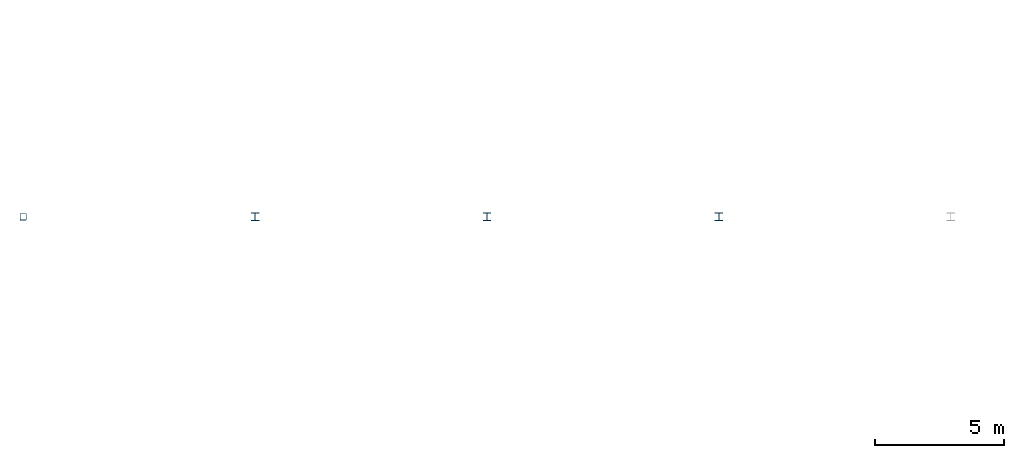
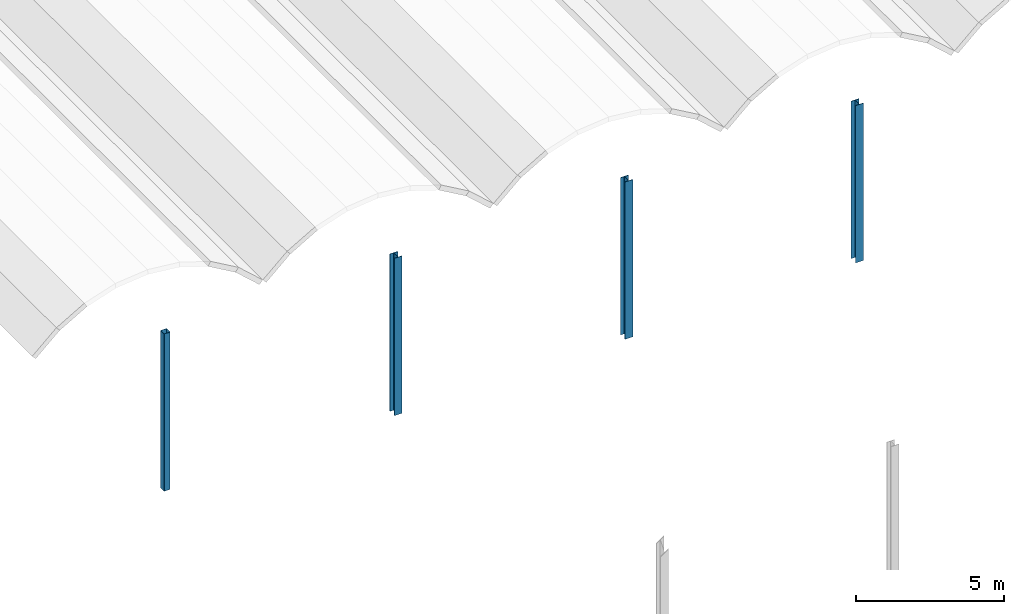
# One storey, part 2 of 5: 4 columns.
"""IFC4 building model written with IfcOpenShell, lengths in metres."""

import ifcopenshell
import ifcopenshell.guid

model = None  # the IFC model being written
_history = None  # IfcOwnerHistory: only IFC2X3 demands one
_inside = {}  # id of a spatial element -> (the spatial element, [elements in it])
_under = {}  # id of a project, library or spatial element -> (it, [spatial elements below it])
_declared = {}  # id of a project -> (the project, [libraries it declares])
_typed = {}  # id of a type object -> (the type object, [elements of that type])
_made_of = {}  # id of a material, layer set ... -> (it, [elements and type objects made of it])


def new_model(schema):
    """Start an empty IFC model of exactly this schema.

    Asked for "IFC4X3", IfcOpenShell would pick the latest addendum, in which some entities
    have other attributes; the version numbers below select the first issue.
    IFC2X3 requires an IfcOwnerHistory on every rooted entity: one is made here for all.
    """
    global model, _history
    if schema == "IFC4X3":
        model = ifcopenshell.file(schema_version=(4, 3, 0, 0))
    else:
        model = ifcopenshell.file(schema=schema)
    _inside.clear()
    _under.clear()
    _declared.clear()
    _typed.clear()
    _made_of.clear()
    _history = None
    if model.schema == "IFC2X3":
        org = make("IfcOrganization", Name="unknown")
        user = make(
            "IfcPersonAndOrganization",
            ThePerson=make("IfcPerson", FamilyName="unknown"),
            TheOrganization=org,
        )
        app = make(
            "IfcApplication",
            ApplicationDeveloper=org,
            Version="unknown",
            ApplicationFullName="unknown",
            ApplicationIdentifier="unknown",
        )
        _history = make(
            "IfcOwnerHistory",
            OwningUser=user,
            OwningApplication=app,
            ChangeAction="ADDED",
            CreationDate=0,
        )
    return model


def make(cls, **values):
    """One entity of the class cls with the attributes given. An attribute that is None is left unset."""
    return model.create_entity(
        cls, **{name: value for name, value in values.items() if value is not None}
    )


def rooted(cls, **values):
    """An entity with a GlobalId (a new one), such as an element, a storey or a relation."""
    return make(cls, GlobalId=ifcopenshell.guid.new(), OwnerHistory=_history, **values)


def si_unit(unit_type, name, prefix=None):
    """IfcSIUnit, for example si_unit("LENGTHUNIT", "METRE", prefix="MILLI")."""
    return make("IfcSIUnit", UnitType=unit_type, Prefix=prefix, Name=name)


def assignment(units):
    """IfcUnitAssignment: the units of a project."""
    return None if units is None else make("IfcUnitAssignment", Units=units)


def point(xyz):
    """IfcCartesianPoint."""
    return None if xyz is None else make("IfcCartesianPoint", Coordinates=xyz)


def direction(xyz):
    """IfcDirection."""
    return None if xyz is None else make("IfcDirection", DirectionRatios=xyz)


def frame(location, z_axis=None, x_axis=None):
    """IfcAxis2Placement3D, a coordinate frame: its origin and axes. An axis left out is left unset."""
    return make(
        "IfcAxis2Placement3D",
        Location=point(location),
        Axis=direction(z_axis),
        RefDirection=direction(x_axis),
    )


def frame_2d(location, x_axis=None):
    """IfcAxis2Placement2D, a coordinate frame in the plane: its origin and x axis."""
    return make(
        "IfcAxis2Placement2D", Location=point(location), RefDirection=direction(x_axis)
    )


def origin():
    """The frame at (0, 0, 0) with its axes left unset."""
    return frame((0.0, 0.0, 0.0))


def origin_2d():
    """The frame at (0, 0) in the plane with its x axis left unset."""
    return frame_2d((0.0, 0.0))


def place(relative_to, where):
    """IfcLocalPlacement: puts the frame where relative to a parent placement (None: the world)."""
    return make(
        "IfcLocalPlacement", PlacementRelTo=relative_to, RelativePlacement=where
    )


def context(
    kind, dimensions, precision=None, world=None, true_north=None, identifier=None
):
    """IfcGeometricRepresentationContext, for example the 3D "Model" context."""
    return make(
        "IfcGeometricRepresentationContext",
        ContextIdentifier=identifier,
        ContextType=kind,
        CoordinateSpaceDimension=dimensions,
        Precision=precision,
        WorldCoordinateSystem=world,
        TrueNorth=true_north,
    )


def subcontext(parent, identifier, kind, view, scale=None):
    """IfcGeometricRepresentationSubContext, for example "Body" below "Model"."""
    return make(
        "IfcGeometricRepresentationSubContext",
        ContextIdentifier=identifier,
        ContextType=kind,
        ParentContext=parent,
        TargetScale=scale,
        TargetView=view,
    )


def project(units=None, contexts=None):
    """IfcProject with its units and contexts."""
    return rooted(
        "IfcProject",
        Name="project",
        RepresentationContexts=contexts,
        UnitsInContext=assignment(units),
    )


def spatial(cls, under=None, at=None, **own):
    """A site, building, storey or space (cls), placed at a placement, below another one or the project."""
    s = rooted(cls, ObjectPlacement=at, **own)
    if under is not None:
        _under.setdefault(under.id(), (under, []))[1].append(s)
    return s


def profile(cls, at=None, kind="AREA", **sizes):
    """A parametric profile (cls). Its sizes go by their IFC names, for example OverallWidth=200.0."""
    return make(cls, ProfileType=kind, Position=at, **sizes)


def hollow_rectangle(**sizes):
    """IfcRectangleHollowProfileDef."""
    return profile("IfcRectangleHollowProfileDef", **sizes)


def i_section(**sizes):
    """IfcIShapeProfileDef."""
    return profile("IfcIShapeProfileDef", **sizes)


def extrude(swept, where, along, depth):
    """IfcExtrudedAreaSolid: the profile swept, set in the frame where, extruded along a direction by depth."""
    return make(
        "IfcExtrudedAreaSolid",
        SweptArea=swept,
        Position=where,
        ExtrudedDirection=direction(along),
        Depth=depth,
    )


def shape(context_of_items, identifier, shape_type, items):
    """IfcShapeRepresentation: the items that make up one representation, for example the "Body"."""
    return make(
        "IfcShapeRepresentation",
        ContextOfItems=context_of_items,
        RepresentationIdentifier=identifier,
        RepresentationType=shape_type,
        Items=items,
    )


def material(Name=None, Category=None):
    """IfcMaterial."""
    return make("IfcMaterial", Name=Name, Category=Category)


def material_profile(
    of_material, cross_section, Name=None, Category=None, Priority=None
):
    """IfcMaterialProfile: a cross section and its material."""
    return make(
        "IfcMaterialProfile",
        Name=Name,
        Material=of_material,
        Profile=cross_section,
        Priority=Priority,
        Category=Category,
    )


def profile_set(profiles, Name=None, composite=None):
    """IfcMaterialProfileSet."""
    return make(
        "IfcMaterialProfileSet",
        Name=Name,
        MaterialProfiles=profiles,
        CompositeProfile=composite,
    )


def made_of(thing, what):
    """Note that an element or type object is made of a material, layer set ...; save() writes the relation."""
    if what is not None:
        _made_of.setdefault(what.id(), (what, []))[1].append(thing)
    return thing


def type_object(cls, material=None, **own):
    """A type object (cls), such as IfcWallType, which elements share."""
    return made_of(rooted(cls, **own), material)


def element(
    cls,
    number,
    at=None,
    inside=None,
    cuts=None,
    type_object=None,
    material=None,
    context=None,
    identifier="Body",
    shape_type=None,
    held_by="IfcProductDefinitionShape",
    body=None,
    shapes=None,
    **own,
):
    """One element of the class cls, such as IfcWall. Its Tag is "e" and its number.

    at: its placement. inside: the storey or other place that contains it. cuts: it is an
    opening in that element (IfcRelVoidsElement). A single representation is given by context,
    identifier, shape_type and body (its items); several are given by shapes. held_by: the class
    of the entity that holds the representations. save() writes the other relations.
    """
    e = rooted(cls, Tag="e%d" % number, ObjectPlacement=at, **own)
    if body is not None:
        shapes = [shape(context, identifier, shape_type, body)]
    if shapes is not None:
        e.Representation = make(held_by, Representations=shapes)
    if inside is not None:
        _inside.setdefault(inside.id(), (inside, []))[1].append(e)
    if cuts is not None:
        rooted(
            "IfcRelVoidsElement", RelatingBuildingElement=cuts, RelatedOpeningElement=e
        )
    if type_object is not None:
        _typed.setdefault(type_object.id(), (type_object, []))[1].append(e)
    return made_of(e, material)


def aggregate(whole, parts):
    """IfcRelAggregates: a whole, such as a stair, and the parts it consists of."""
    return rooted("IfcRelAggregates", RelatingObject=whole, RelatedObjects=parts)


def save(model, path):
    """Write the relations noted so far, then the file.

    IfcRelAggregates (storeys below a building ...), IfcRelContainedInSpatialStructure (elements
    in a storey), IfcRelDefinesByType, IfcRelAssociatesMaterial and IfcRelDeclares: one each for
    every whole, place, type object, material and project.
    """
    for whole, parts in _under.values():
        aggregate(whole, parts)
    for where, things in _inside.values():
        rooted(
            "IfcRelContainedInSpatialStructure",
            RelatedElements=things,
            RelatingStructure=where,
        )
    for kind, things in _typed.values():
        rooted("IfcRelDefinesByType", RelatedObjects=things, RelatingType=kind)
    for what, things in _made_of.values():
        rooted("IfcRelAssociatesMaterial", RelatedObjects=things, RelatingMaterial=what)
    for by, libraries in _declared.values():
        rooted("IfcRelDeclares", RelatingContext=by, RelatedDefinitions=libraries)
    model.write(path)


model = new_model("IFC4")

# Units and contexts
model_context = context("Model", 3, precision=1e-05, world=origin(), true_north=direction((0.0, 1.0)))
body_context = subcontext(model_context, "Body", "Model", "MODEL_VIEW")
ifc_project = project(units=[si_unit("LENGTHUNIT", "METRE"), si_unit("AREAUNIT", "SQUARE_METRE"), si_unit("VOLUMEUNIT", "CUBIC_METRE"), si_unit("PLANEANGLEUNIT", "RADIAN"), si_unit("MASSUNIT", "GRAM", prefix="KILO")], contexts=[model_context])

# Site, building, storey
site_placement = place(None, origin())
site = spatial("IfcSite", under=ifc_project, at=site_placement, CompositionType="ELEMENT")
building_placement = place(site_placement, origin())
building = spatial("IfcBuilding", under=site, at=building_placement, Name="Shorebreak Coast Museum", CompositionType="ELEMENT")
storey_placement = place(building_placement, frame((0.0, 0.0, 44.0)))
storey = spatial("IfcBuildingStorey", under=building, at=storey_placement, Name="Roof", CompositionType="ELEMENT", Elevation=44.0)

# Columns
ifc_material_1 = material(Name="Steel Grade C450L0", Category="steel")
ifc_material_profile_1 = material_profile(ifc_material_1, hollow_rectangle(XDim=0.25, YDim=0.25, WallThickness=0.009033203125, InnerFilletRadius=0.013427734375, OuterFilletRadius=0.0224609375, at=origin_2d()), Name="250x250x9.0 SHS")
ifc_profile_set_1 = profile_set([ifc_material_profile_1], Name="Steel Grade C450L0")
column_type_1 = type_object("IfcColumnType", Name="Column 250x250x9.0 SHS", PredefinedType="COLUMN", material=ifc_profile_set_1)
column_placement = place(storey_placement, frame((54.0, 81.0, 0.0), z_axis=(0.0, 0.0, 1.0), x_axis=(1.0, 0.0, 0.0)))
element("IfcColumn", 1, at=column_placement, inside=storey, type_object=column_type_1, Name="Column Roof 7K", PredefinedType="COLUMN", context=body_context, shape_type="SweptSolid", body=[
    extrude(hollow_rectangle(XDim=0.25, YDim=0.25, WallThickness=0.009033203125, InnerFilletRadius=0.013427734375, OuterFilletRadius=0.0224609375, at=origin_2d()), origin(), (0.0, 0.0, 1.0), 6.489990234375),
])
ifc_material_2 = material(Name="Steel Grade 300", Category="steel")
ifc_material_profile_2 = material_profile(ifc_material_2, i_section(OverallWidth=0.306884765625, OverallDepth=0.314697265625, WebThickness=0.011962890625, FlangeThickness=0.018798828125, FilletRadius=0.0166015625, at=origin_2d()), Name="310UC118")
ifc_profile_set_2 = profile_set([ifc_material_profile_2], Name="Steel Grade 300")
column_type_2 = type_object("IfcColumnType", Name="Column 310UC118", PredefinedType="COLUMN", material=ifc_profile_set_2)
for number, where, z_axis, x_axis, name in (
    (2, (63.0, 81.0, 0.0), (0.0, 0.0, 1.0), (1.0, 0.0, 0.0), "Column Roof 8K"),
    (3, (72.0, 81.0, 0.0), (0.0, 0.0, 1.0), (1.0, 0.0, 0.0), "Column Roof 9K"),
    (4, (81.0, 81.0, 0.0), (0.0, 0.0, 1.0), (1.0, 0.0, 0.0), "Column Roof 10K"),
):
    element("IfcColumn", number, at=place(storey_placement, frame(where, z_axis=z_axis, x_axis=x_axis)), inside=storey, type_object=column_type_2, Name=name, PredefinedType="COLUMN", context=body_context, shape_type="SweptSolid", body=[
        extrude(i_section(OverallWidth=0.306884765625, OverallDepth=0.314697265625, WebThickness=0.011962890625, FlangeThickness=0.018798828125, FilletRadius=0.0166015625, at=origin_2d()), origin(), (0.0, 0.0, 1.0), 6.489990234375),
    ])

save(model, "model.ifc")
